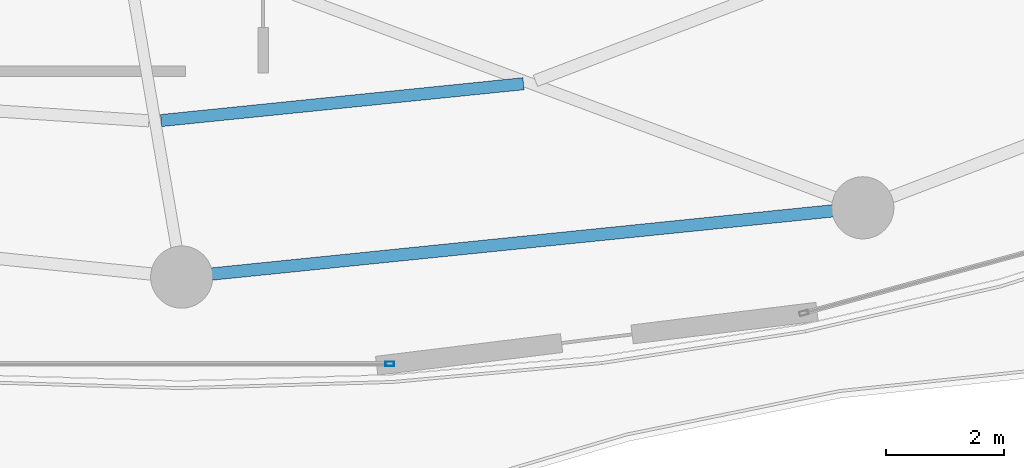
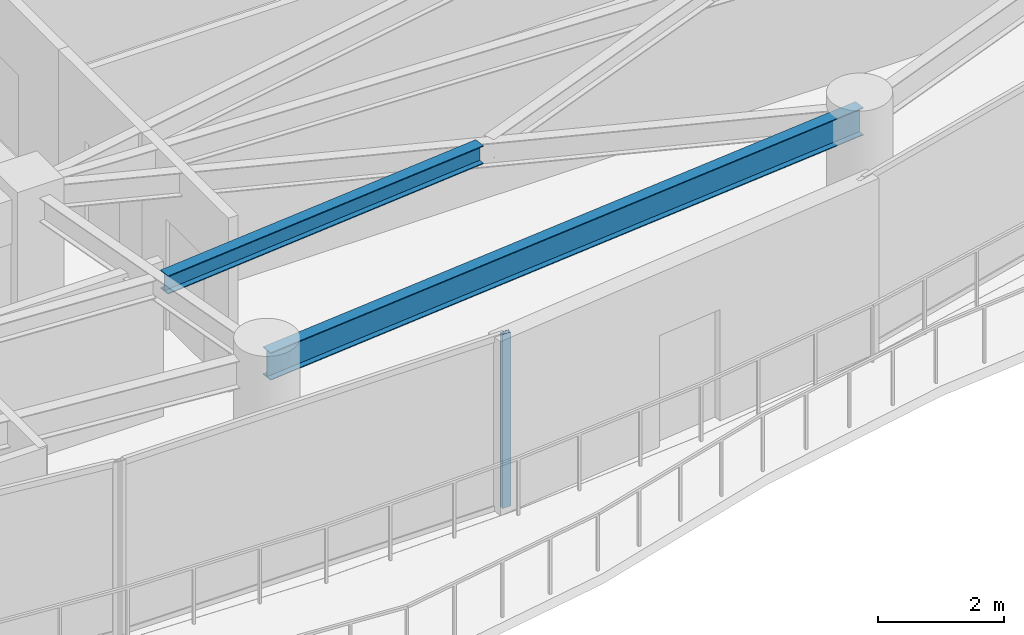
# One storey, part 9 of 29: 2 beams, 1 member, 1 element without a shape of its own.
"""IFC4 building model written with IfcOpenShell, lengths in metres."""

from ifc_helpers import new_model, si_unit, direction, frame, origin, origin_2d, place, context, subcontext, project, spatial, hollow_rectangle, i_section, extrude, material, layer, layer_set, material_profile, profile_set, type_object, element, aggregate, save


model = new_model("IFC4")

# Units and contexts
model_context = context("Model", 3, precision=1e-05, world=origin(), true_north=direction((0.0, 1.0)))
body_context = subcontext(model_context, "Body", "Model", "MODEL_VIEW")
ifc_project = project(units=[si_unit("LENGTHUNIT", "METRE"), si_unit("AREAUNIT", "SQUARE_METRE"), si_unit("VOLUMEUNIT", "CUBIC_METRE"), si_unit("PLANEANGLEUNIT", "RADIAN"), si_unit("MASSUNIT", "GRAM", prefix="KILO")], contexts=[model_context])

# Site, building, storey
site_placement = place(None, origin())
site = spatial("IfcSite", under=ifc_project, at=site_placement, CompositionType="ELEMENT")
building_placement = place(site_placement, origin())
building = spatial("IfcBuilding", under=site, at=building_placement, Name="Kazevale Care Tower and Concert Hall", CompositionType="ELEMENT")
storey_placement = place(building_placement, frame((0.0, 0.0, 224.39990234375)))
storey = spatial("IfcBuildingStorey", under=building, at=storey_placement, Name="L59", CompositionType="ELEMENT", Elevation=224.39990234375)

# Curtain wall, member
ifc_material_1 = material(Name="Aluminium 6063-T6 and Low-E Glass", Category="aluminium")
ifc_layer = layer(ifc_material_1, 0.179931640625)
ifc_layer_set = layer_set([ifc_layer], Name="Aluminium 6063-T6 and Low-E Glass")
curtain_wall_type = type_object("IfcCurtainWallType", Name="Sheltered Concave Balcony Curtain Wall CW-5", PredefinedType="NOTDEFINED", material=ifc_layer_set)
curtain_wall_placement = place(storey_placement, origin())
curtain_wall = element("IfcCurtainWall", 1, at=curtain_wall_placement, inside=storey, type_object=curtain_wall_type, Name="cw:L59:f06", PredefinedType="NOTDEFINED")
ifc_material_2 = material(Name="Aluminium 6063-T6", Category="aluminium")
ifc_material_profile_1 = material_profile(ifc_material_2, hollow_rectangle(XDim=0.074951171875, YDim=0.14990234375, WallThickness=0.00390625, at=origin_2d()), Name="ALU75x150x4")
ifc_profile_set_1 = profile_set([ifc_material_profile_1], Name="Aluminium 6063-T6")
member_type = type_object("IfcMemberType", Name="CW-5 Mullion ALU75x150x4", PredefinedType="MULLION", material=ifc_profile_set_1)
member_placement = place(storey_placement, frame((48.512451171875, 16.284912109375, 0.0), z_axis=(0.0, 0.0, 1.0), x_axis=(0.0, -1.0, 0.0)))
member = element("IfcMember", 2, at=member_placement, type_object=member_type, Name="CW-5 mullion 1", PredefinedType="MULLION", context=body_context, shape_type="SweptSolid", body=[
    extrude(hollow_rectangle(XDim=0.074951171875, YDim=0.14990234375, WallThickness=0.00390625, at=origin_2d()), origin(), (0.0, 0.0, 1.0), 3.360107421875),
])
aggregate(curtain_wall, [member])

# Beams
ifc_material_3 = material(Name="Steel ASTM A572 Gr 50", Category="steel")
ifc_material_profile_2 = material_profile(ifc_material_3, i_section(OverallWidth=0.205078125, OverallDepth=0.35400390625, WebThickness=0.009521484375, FlangeThickness=0.016845703125, at=origin_2d()), Name="W360x79")
ifc_profile_set_2 = profile_set([ifc_material_profile_2], Name="Steel ASTM A572 Gr 50")
beam_type_1 = type_object("IfcBeamType", Name="Secondary Floor Joist W360x79", PredefinedType="JOIST", material=ifc_profile_set_2)
beam_1_placement = place(storey_placement, frame((44.654052734375, 20.39306640625, 3.18310546875), z_axis=(0.994872697807, 0.10113513316, 0.0), x_axis=(-0.10113513316, 0.994872697807, 0.0)))
element("IfcBeam", 3, at=beam_1_placement, inside=storey, type_object=beam_type_1, Name="beam:L59:joist:13", PredefinedType="JOIST", context=body_context, shape_type="SweptSolid", body=[
    extrude(i_section(OverallWidth=0.205078125, OverallDepth=0.35400390625, WebThickness=0.009521484375, FlangeThickness=0.016845703125, at=origin_2d()), origin(), (0.0, 0.0, 1.0), 6.1484375),
])
ifc_material_profile_3 = material_profile(ifc_material_3, i_section(OverallWidth=0.208984375, OverallDepth=0.532958984375, WebThickness=0.01025390625, FlangeThickness=0.015625, at=origin_2d()), Name="W530x92")
ifc_profile_set_3 = profile_set([ifc_material_profile_3], Name="Steel ASTM A572 Gr 50")
beam_type_2 = type_object("IfcBeamType", Name="Upper Ring Beam W530x92", PredefinedType="BEAM", material=ifc_profile_set_3)
beam_2_placement = place(storey_placement, frame((45.0, 17.75, 3.093505859375), z_axis=(0.994865089307, 0.101209950492, 0.0), x_axis=(-0.101209950492, 0.994865089307, 0.0)))
element("IfcBeam", 4, at=beam_2_placement, inside=storey, type_object=beam_type_2, Name="beam:L59:ring:13", PredefinedType="BEAM", context=body_context, shape_type="SweptSolid", body=[
    extrude(i_section(OverallWidth=0.208984375, OverallDepth=0.532958984375, WebThickness=0.01025390625, FlangeThickness=0.015625, at=origin_2d()), origin(), (0.0, 0.0, 1.0), 11.559326171875),
])

save(model, "model.ifc")
